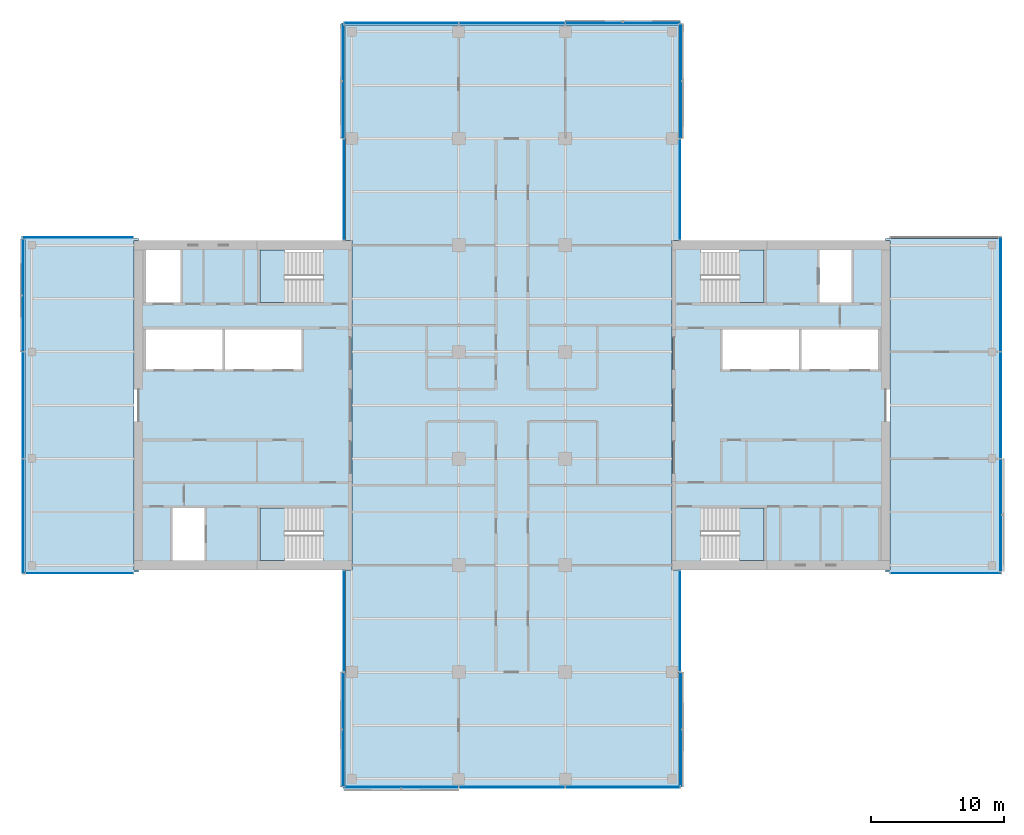
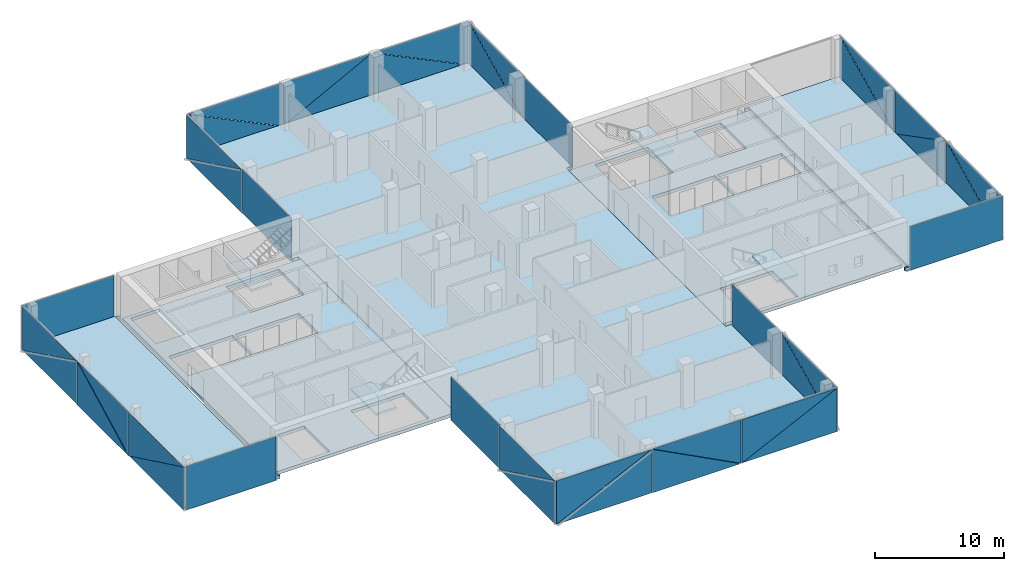
# One storey, part 12 of 22: 39 plates, 9 slabs, 19 elements without a shape of their own.
"""IFC4 building model written with IfcOpenShell, lengths in metres."""

import ifcopenshell
import ifcopenshell.guid

model = None  # the IFC model being written
_history = None  # IfcOwnerHistory: only IFC2X3 demands one
_inside = {}  # id of a spatial element -> (the spatial element, [elements in it])
_under = {}  # id of a project, library or spatial element -> (it, [spatial elements below it])
_declared = {}  # id of a project -> (the project, [libraries it declares])
_typed = {}  # id of a type object -> (the type object, [elements of that type])
_made_of = {}  # id of a material, layer set ... -> (it, [elements and type objects made of it])


def new_model(schema):
    """Start an empty IFC model of exactly this schema.

    Asked for "IFC4X3", IfcOpenShell would pick the latest addendum, in which some entities
    have other attributes; the version numbers below select the first issue.
    IFC2X3 requires an IfcOwnerHistory on every rooted entity: one is made here for all.
    """
    global model, _history
    if schema == "IFC4X3":
        model = ifcopenshell.file(schema_version=(4, 3, 0, 0))
    else:
        model = ifcopenshell.file(schema=schema)
    _inside.clear()
    _under.clear()
    _declared.clear()
    _typed.clear()
    _made_of.clear()
    _history = None
    if model.schema == "IFC2X3":
        org = make("IfcOrganization", Name="unknown")
        user = make(
            "IfcPersonAndOrganization",
            ThePerson=make("IfcPerson", FamilyName="unknown"),
            TheOrganization=org,
        )
        app = make(
            "IfcApplication",
            ApplicationDeveloper=org,
            Version="unknown",
            ApplicationFullName="unknown",
            ApplicationIdentifier="unknown",
        )
        _history = make(
            "IfcOwnerHistory",
            OwningUser=user,
            OwningApplication=app,
            ChangeAction="ADDED",
            CreationDate=0,
        )
    return model


def make(cls, **values):
    """One entity of the class cls with the attributes given. An attribute that is None is left unset."""
    return model.create_entity(
        cls, **{name: value for name, value in values.items() if value is not None}
    )


def rooted(cls, **values):
    """An entity with a GlobalId (a new one), such as an element, a storey or a relation."""
    return make(cls, GlobalId=ifcopenshell.guid.new(), OwnerHistory=_history, **values)


def si_unit(unit_type, name, prefix=None):
    """IfcSIUnit, for example si_unit("LENGTHUNIT", "METRE", prefix="MILLI")."""
    return make("IfcSIUnit", UnitType=unit_type, Prefix=prefix, Name=name)


def assignment(units):
    """IfcUnitAssignment: the units of a project."""
    return None if units is None else make("IfcUnitAssignment", Units=units)


def point(xyz):
    """IfcCartesianPoint."""
    return None if xyz is None else make("IfcCartesianPoint", Coordinates=xyz)


def direction(xyz):
    """IfcDirection."""
    return None if xyz is None else make("IfcDirection", DirectionRatios=xyz)


def frame(location, z_axis=None, x_axis=None):
    """IfcAxis2Placement3D, a coordinate frame: its origin and axes. An axis left out is left unset."""
    return make(
        "IfcAxis2Placement3D",
        Location=point(location),
        Axis=direction(z_axis),
        RefDirection=direction(x_axis),
    )


def origin():
    """The frame at (0, 0, 0) with its axes left unset."""
    return frame((0.0, 0.0, 0.0))


def place(relative_to, where):
    """IfcLocalPlacement: puts the frame where relative to a parent placement (None: the world)."""
    return make(
        "IfcLocalPlacement", PlacementRelTo=relative_to, RelativePlacement=where
    )


def context(
    kind, dimensions, precision=None, world=None, true_north=None, identifier=None
):
    """IfcGeometricRepresentationContext, for example the 3D "Model" context."""
    return make(
        "IfcGeometricRepresentationContext",
        ContextIdentifier=identifier,
        ContextType=kind,
        CoordinateSpaceDimension=dimensions,
        Precision=precision,
        WorldCoordinateSystem=world,
        TrueNorth=true_north,
    )


def subcontext(parent, identifier, kind, view, scale=None):
    """IfcGeometricRepresentationSubContext, for example "Body" below "Model"."""
    return make(
        "IfcGeometricRepresentationSubContext",
        ContextIdentifier=identifier,
        ContextType=kind,
        ParentContext=parent,
        TargetScale=scale,
        TargetView=view,
    )


def project(units=None, contexts=None):
    """IfcProject with its units and contexts."""
    return rooted(
        "IfcProject",
        Name="project",
        RepresentationContexts=contexts,
        UnitsInContext=assignment(units),
    )


def spatial(cls, under=None, at=None, **own):
    """A site, building, storey or space (cls), placed at a placement, below another one or the project."""
    s = rooted(cls, ObjectPlacement=at, **own)
    if under is not None:
        _under.setdefault(under.id(), (under, []))[1].append(s)
    return s


def polyline(points):
    """IfcPolyline through the points."""
    return make("IfcPolyline", Points=[point(p) for p in points])


def outline(outer, holes=None, kind="AREA"):
    """IfcArbitraryClosedProfileDef: a profile drawn as a closed curve; with holes, ...WithVoids."""
    if holes is None:
        return make("IfcArbitraryClosedProfileDef", ProfileType=kind, OuterCurve=outer)
    return make(
        "IfcArbitraryProfileDefWithVoids",
        ProfileType=kind,
        OuterCurve=outer,
        InnerCurves=holes,
    )


def extrude(swept, where, along, depth):
    """IfcExtrudedAreaSolid: the profile swept, set in the frame where, extruded along a direction by depth."""
    return make(
        "IfcExtrudedAreaSolid",
        SweptArea=swept,
        Position=where,
        ExtrudedDirection=direction(along),
        Depth=depth,
    )


def shape(context_of_items, identifier, shape_type, items):
    """IfcShapeRepresentation: the items that make up one representation, for example the "Body"."""
    return make(
        "IfcShapeRepresentation",
        ContextOfItems=context_of_items,
        RepresentationIdentifier=identifier,
        RepresentationType=shape_type,
        Items=items,
    )


def material(Name=None, Category=None):
    """IfcMaterial."""
    return make("IfcMaterial", Name=Name, Category=Category)


def layer(
    of_material, thickness, ventilated=None, Name=None, Category=None, Priority=None
):
    """IfcMaterialLayer: one layer of a wall or slab, of a material (None: an air gap)."""
    return make(
        "IfcMaterialLayer",
        Material=of_material,
        LayerThickness=thickness,
        IsVentilated=ventilated,
        Name=Name,
        Category=Category,
        Priority=Priority,
    )


def layer_set(layers, Name=None):
    """IfcMaterialLayerSet."""
    return make("IfcMaterialLayerSet", MaterialLayers=layers, LayerSetName=Name)


def made_of(thing, what):
    """Note that an element or type object is made of a material, layer set ...; save() writes the relation."""
    if what is not None:
        _made_of.setdefault(what.id(), (what, []))[1].append(thing)
    return thing


def type_object(cls, material=None, **own):
    """A type object (cls), such as IfcWallType, which elements share."""
    return made_of(rooted(cls, **own), material)


def element(
    cls,
    number,
    at=None,
    inside=None,
    cuts=None,
    type_object=None,
    material=None,
    context=None,
    identifier="Body",
    shape_type=None,
    held_by="IfcProductDefinitionShape",
    body=None,
    shapes=None,
    **own,
):
    """One element of the class cls, such as IfcWall. Its Tag is "e" and its number.

    at: its placement. inside: the storey or other place that contains it. cuts: it is an
    opening in that element (IfcRelVoidsElement). A single representation is given by context,
    identifier, shape_type and body (its items); several are given by shapes. held_by: the class
    of the entity that holds the representations. save() writes the other relations.
    """
    e = rooted(cls, Tag="e%d" % number, ObjectPlacement=at, **own)
    if body is not None:
        shapes = [shape(context, identifier, shape_type, body)]
    if shapes is not None:
        e.Representation = make(held_by, Representations=shapes)
    if inside is not None:
        _inside.setdefault(inside.id(), (inside, []))[1].append(e)
    if cuts is not None:
        rooted(
            "IfcRelVoidsElement", RelatingBuildingElement=cuts, RelatedOpeningElement=e
        )
    if type_object is not None:
        _typed.setdefault(type_object.id(), (type_object, []))[1].append(e)
    return made_of(e, material)


def aggregate(whole, parts):
    """IfcRelAggregates: a whole, such as a stair, and the parts it consists of."""
    return rooted("IfcRelAggregates", RelatingObject=whole, RelatedObjects=parts)


def save(model, path):
    """Write the relations noted so far, then the file.

    IfcRelAggregates (storeys below a building ...), IfcRelContainedInSpatialStructure (elements
    in a storey), IfcRelDefinesByType, IfcRelAssociatesMaterial and IfcRelDeclares: one each for
    every whole, place, type object, material and project.
    """
    for whole, parts in _under.values():
        aggregate(whole, parts)
    for where, things in _inside.values():
        rooted(
            "IfcRelContainedInSpatialStructure",
            RelatedElements=things,
            RelatingStructure=where,
        )
    for kind, things in _typed.values():
        rooted("IfcRelDefinesByType", RelatedObjects=things, RelatingType=kind)
    for what, things in _made_of.values():
        rooted("IfcRelAssociatesMaterial", RelatedObjects=things, RelatingMaterial=what)
    for by, libraries in _declared.values():
        rooted("IfcRelDeclares", RelatingContext=by, RelatedDefinitions=libraries)
    model.write(path)


model = new_model("IFC4")

# Units and contexts
model_context = context("Model", 3, precision=1e-05, world=origin(), true_north=direction((0.0, 1.0)))
body_context = subcontext(model_context, "Body", "Model", "MODEL_VIEW")
ifc_project = project(units=[si_unit("LENGTHUNIT", "METRE"), si_unit("AREAUNIT", "SQUARE_METRE"), si_unit("VOLUMEUNIT", "CUBIC_METRE"), si_unit("PLANEANGLEUNIT", "RADIAN"), si_unit("MASSUNIT", "GRAM", prefix="KILO")], contexts=[model_context])

# Site, building, storey
site_placement = place(None, origin())
site = spatial("IfcSite", under=ifc_project, at=site_placement, CompositionType="ELEMENT")
building_placement = place(site_placement, origin())
building = spatial("IfcBuilding", under=site, at=building_placement, Name="Crosswind Convention Tower", CompositionType="ELEMENT")
storey_placement = place(building_placement, frame((0.0, 0.0, 129.5)))
storey = spatial("IfcBuildingStorey", under=building, at=storey_placement, Name="L26", CompositionType="ELEMENT", Elevation=129.5)

# Slabs
ifc_material_1 = material(Name="Concrete C40/50", Category="concrete")
ifc_layer_1 = layer(ifc_material_1, 0.300048828125)
ifc_layer_set_1 = layer_set([ifc_layer_1], Name="Concrete C40/50")
slab_type_1 = type_object("IfcSlabType", Name="Composite floor slab 300", PredefinedType="FLOOR", material=ifc_layer_set_1)
slab_1_placement = place(storey_placement, frame((0.0, 0.0, -0.300048828125)))
element("IfcSlab", 1, at=slab_1_placement, inside=storey, type_object=slab_type_1, Name="Floor slab L26 part 1", PredefinedType="FLOOR", context=body_context, shape_type="SweptSolid", body=[
    extrude(outline(polyline([(97.0, 87.5), (89.0, 87.5), (88.5, 87.5), (88.5, 88.0), (88.5, 112.0), (88.5, 112.5), (89.0, 112.5), (97.0, 112.5), (97.0, 112.35009765625), (96.64990234375, 112.35009765625), (96.64990234375, 87.64990234375), (97.0, 87.64990234375), (97.0, 87.5)])), origin(), (0.0, 0.0, 1.0), 0.300048828125),
])
slab_2_placement = place(storey_placement, frame((0.0, 0.0, -0.300048828125)))
element("IfcSlab", 2, at=slab_2_placement, inside=storey, type_object=slab_type_1, Name="Floor slab L26 part 2", PredefinedType="FLOOR", context=body_context, shape_type="SweptSolid", body=[
    extrude(outline(polyline([(112.5, 87.64990234375), (113.0, 87.64990234375), (113.0, 112.35009765625), (112.5, 112.35009765625), (112.5, 128.0), (112.5, 128.5), (113.0, 128.5), (137.0, 128.5), (137.5, 128.5), (137.5, 128.0), (137.5, 112.35009765625), (137.0, 112.35009765625), (137.0, 87.64990234375), (137.5, 87.64990234375), (137.5, 72.0), (137.5, 71.5), (137.0, 71.5), (113.0, 71.5), (112.5, 71.5), (112.5, 72.0), (112.5, 87.64990234375)])), origin(), (0.0, 0.0, 1.0), 0.300048828125),
])
slab_3_placement = place(storey_placement, frame((0.0, 0.0, -0.300048828125)))
element("IfcSlab", 3, at=slab_3_placement, inside=storey, type_object=slab_type_1, Name="Floor slab L26 part 3", PredefinedType="FLOOR", context=body_context, shape_type="SweptSolid", body=[
    extrude(outline(polyline([(153.0, 112.5), (161.0, 112.5), (161.5, 112.5), (161.5, 112.0), (161.5, 88.0), (161.5, 87.5), (161.0, 87.5), (153.0, 87.5), (153.0, 87.64990234375), (153.35009765625, 87.64990234375), (153.35009765625, 112.35009765625), (153.0, 112.35009765625), (153.0, 112.5)])), origin(), (0.0, 0.0, 1.0), 0.300048828125),
])
ifc_layer_2 = layer(ifc_material_1, 0.300048828125)
ifc_layer_set_2 = layer_set([ifc_layer_2], Name="Concrete C40/50")
slab_type_2 = type_object("IfcSlabType", Name="Concrete core floor slab 300", PredefinedType="FLOOR", material=ifc_layer_set_2)
slab_4_placement = place(storey_placement, frame((0.0, 0.0, -0.300048828125)))
element("IfcSlab", 4, at=slab_4_placement, inside=storey, type_object=slab_type_2, Name="Core floor slab E L26", PredefinedType="FLOOR", context=body_context, shape_type="SweptSolid", body=[
    extrude(outline(polyline([(137.0, 88.0), (153.0, 88.0), (153.0, 112.0), (137.0, 112.0), (137.0, 88.0)]), holes=[polyline([(146.5, 102.699951171875), (146.5, 105.699951171875), (140.800048828125, 105.699951171875), (140.800048828125, 102.699951171875), (146.5, 102.699951171875)]), polyline([(152.449951171875, 102.699951171875), (152.449951171875, 105.699951171875), (146.699951171875, 105.699951171875), (146.699951171875, 102.699951171875), (152.449951171875, 102.699951171875)]), polyline([(150.449951171875, 107.699951171875), (150.449951171875, 111.64990234375), (148.050048828125, 111.64990234375), (148.050048828125, 107.699951171875), (150.449951171875, 107.699951171875)]), polyline([(143.89990234375, 107.699951171875), (143.89990234375, 111.64990234375), (139.14990234375, 111.64990234375), (139.14990234375, 107.699951171875), (143.89990234375, 107.699951171875)]), polyline([(143.89990234375, 88.35009765625), (143.89990234375, 92.300048828125), (139.14990234375, 92.300048828125), (139.14990234375, 88.35009765625), (143.89990234375, 88.35009765625)])]), origin(), (0.0, 0.0, 1.0), 0.300048828125),
])
slab_5_placement = place(storey_placement, frame((0.0, 0.0, -0.300048828125)))
element("IfcSlab", 5, at=slab_5_placement, inside=storey, type_object=slab_type_2, Name="Core floor slab W L26", PredefinedType="FLOOR", context=body_context, shape_type="SweptSolid", body=[
    extrude(outline(polyline([(97.0, 88.0), (113.0, 88.0), (113.0, 112.0), (97.0, 112.0), (97.0, 88.0)]), holes=[polyline([(109.199951171875, 102.699951171875), (109.199951171875, 105.699951171875), (103.5, 105.699951171875), (103.5, 102.699951171875), (109.199951171875, 102.699951171875)]), polyline([(103.300048828125, 102.699951171875), (103.300048828125, 105.699951171875), (97.550048828125, 105.699951171875), (97.550048828125, 102.699951171875), (103.300048828125, 102.699951171875)]), polyline([(101.949951171875, 88.35009765625), (101.949951171875, 92.300048828125), (99.550048828125, 92.300048828125), (99.550048828125, 88.35009765625), (101.949951171875, 88.35009765625)]), polyline([(100.14990234375, 107.699951171875), (100.14990234375, 111.64990234375), (97.550048828125, 111.64990234375), (97.550048828125, 107.699951171875), (100.14990234375, 107.699951171875)]), polyline([(110.85009765625, 88.35009765625), (110.85009765625, 92.300048828125), (106.10009765625, 92.300048828125), (106.10009765625, 88.35009765625), (110.85009765625, 88.35009765625)]), polyline([(110.85009765625, 107.699951171875), (110.85009765625, 111.64990234375), (106.10009765625, 111.64990234375), (106.10009765625, 107.699951171875), (110.85009765625, 107.699951171875)])]), origin(), (0.0, 0.0, 1.0), 0.300048828125),
])

# Stair, slab
stair_type = type_object("IfcStairType", Name="Exit stair 1800 wide, 2 flights of 11 risers", PredefinedType="HALF_TURN_STAIR", material=ifc_material_1)
stair_1_placement = place(storey_placement, origin())
stair_1 = element("IfcStair", 6, at=stair_1_placement, inside=storey, type_object=stair_type, Name="Exit stair ST1 L26", ObjectType="ST5", PredefinedType="HALF_TURN_STAIR")
ifc_layer_3 = layer(ifc_material_1, 0.199951171875)
ifc_layer_set_3 = layer_set([ifc_layer_3], Name="Concrete C40/50")
slab_type_3 = type_object("IfcSlabType", Name="Stair landing 200", PredefinedType="LANDING", material=ifc_layer_set_3)
slab_6_placement = place(storey_placement, frame((0.0, 0.0, 1.89990234375)))
slab_6 = element("IfcSlab", 7, at=slab_6_placement, type_object=slab_type_3, Name="ST1 landing 1", PredefinedType="LANDING", context=body_context, shape_type="SweptSolid", body=[
    extrude(outline(polyline([(143.89990234375, 107.699951171875), (143.89990234375, 111.64990234375), (142.050048828125, 111.64990234375), (142.050048828125, 107.699951171875), (143.89990234375, 107.699951171875)])), origin(), (0.0, 0.0, 1.0), 0.2001953125),
])
aggregate(stair_1, [slab_6])

stair_2_placement = place(storey_placement, origin())
stair_2 = element("IfcStair", 8, at=stair_2_placement, inside=storey, type_object=stair_type, Name="Exit stair ST2 L26", ObjectType="ST5", PredefinedType="HALF_TURN_STAIR")
slab_7_placement = place(storey_placement, frame((0.0, 0.0, 1.89990234375)))
slab_7 = element("IfcSlab", 9, at=slab_7_placement, type_object=slab_type_3, Name="ST2 landing 1", PredefinedType="LANDING", context=body_context, shape_type="SweptSolid", body=[
    extrude(outline(polyline([(143.89990234375, 88.35009765625), (143.89990234375, 92.300048828125), (142.050048828125, 92.300048828125), (142.050048828125, 88.35009765625), (143.89990234375, 88.35009765625)])), origin(), (0.0, 0.0, 1.0), 0.2001953125),
])
aggregate(stair_2, [slab_7])

stair_3_placement = place(storey_placement, origin())
stair_3 = element("IfcStair", 10, at=stair_3_placement, inside=storey, type_object=stair_type, Name="Exit stair ST3 L26", ObjectType="ST5", PredefinedType="HALF_TURN_STAIR")
slab_8_placement = place(storey_placement, frame((0.0, 0.0, 1.89990234375)))
slab_8 = element("IfcSlab", 11, at=slab_8_placement, type_object=slab_type_3, Name="ST3 landing 1", PredefinedType="LANDING", context=body_context, shape_type="SweptSolid", body=[
    extrude(outline(polyline([(107.949951171875, 88.35009765625), (107.949951171875, 92.300048828125), (106.10009765625, 92.300048828125), (106.10009765625, 88.35009765625), (107.949951171875, 88.35009765625)])), origin(), (0.0, 0.0, 1.0), 0.2001953125),
])
aggregate(stair_3, [slab_8])

stair_4_placement = place(storey_placement, origin())
stair_4 = element("IfcStair", 12, at=stair_4_placement, inside=storey, type_object=stair_type, Name="Exit stair ST4 L26", ObjectType="ST5", PredefinedType="HALF_TURN_STAIR")
slab_9_placement = place(storey_placement, frame((0.0, 0.0, 1.89990234375)))
slab_9 = element("IfcSlab", 13, at=slab_9_placement, type_object=slab_type_3, Name="ST4 landing 1", PredefinedType="LANDING", context=body_context, shape_type="SweptSolid", body=[
    extrude(outline(polyline([(107.949951171875, 107.699951171875), (107.949951171875, 111.64990234375), (106.10009765625, 111.64990234375), (106.10009765625, 107.699951171875), (107.949951171875, 107.699951171875)])), origin(), (0.0, 0.0, 1.0), 0.2001953125),
])
aggregate(stair_4, [slab_9])

# Curtain wall, plate
ifc_material_2 = material(Name="Aluminium unitised curtain wall", Category="aluminium")
curtain_wall_type_1 = type_object("IfcCurtainWallType", Name="CORE END SLOT WALL 160", PredefinedType="USERDEFINED", material=ifc_material_2)
curtain_wall_1_placement = place(storey_placement, origin())
curtain_wall_1 = element("IfcCurtainWall", 14, at=curtain_wall_1_placement, inside=storey, type_object=curtain_wall_type_1, Name="CW6 L26 N-E.1-1 slot", ObjectType="UNITISED", PredefinedType="USERDEFINED")
ifc_material_3 = material(Name="Laminated insulating glass unit", Category="glass")
ifc_layer_4 = layer(ifc_material_3, 0.02587890625)
ifc_layer_set_4 = layer_set([ifc_layer_4], Name="TRIANGULAR GLASS PANEL 26")
plate_type_1 = type_object("IfcPlateType", Name="TRIANGULAR GLASS PANEL 26", PredefinedType="CURTAIN_PANEL", material=ifc_layer_set_4)
plate_1_placement = place(storey_placement, frame((137.60693359375, 112.39990234375, -0.300048828125), z_axis=(0.999999915215, 0.0, 0.000411788894), x_axis=(0.0, 1.0, 0.0)))
plate_1 = element("IfcPlate", 15, at=plate_1_placement, type_object=plate_type_1, Name="CW6 panel 1.1", PredefinedType="CURTAIN_PANEL", context=body_context, shape_type="SweptSolid", body=[
    extrude(outline(polyline([(0.0, 0.0), (7.550048828125, 0.0), (7.550048828125, 4.1501468362454075), (0.0, 4.1501468362454075), (0.0, 0.0)])), origin(), (0.0, 0.0, -1.0), 0.02587890625),
])
aggregate(curtain_wall_1, [plate_1])

curtain_wall_2_placement = place(storey_placement, origin())
curtain_wall_2 = element("IfcCurtainWall", 16, at=curtain_wall_2_placement, inside=storey, type_object=curtain_wall_type_1, Name="CW6 L26 N-W.1-2 slot", ObjectType="UNITISED", PredefinedType="USERDEFINED")
plate_2_placement = place(storey_placement, frame((112.39306640625, 119.949951171875, -0.300048828125), z_axis=(-0.999999915215, 0.0, 0.000411788894), x_axis=(0.0, -1.0, 0.0)))
plate_2 = element("IfcPlate", 17, at=plate_2_placement, type_object=plate_type_1, Name="CW6 panel 1.1", PredefinedType="CURTAIN_PANEL", context=body_context, shape_type="SweptSolid", body=[
    extrude(outline(polyline([(0.0, 0.0), (7.550048828125, 0.0), (7.550048828125, 4.1501468362454075), (0.0, 4.1501468362454075), (0.0, 0.0)])), origin(), (0.0, 0.0, -1.0), 0.02587890625),
])
aggregate(curtain_wall_2, [plate_2])

curtain_wall_3_placement = place(storey_placement, origin())
curtain_wall_3 = element("IfcCurtainWall", 18, at=curtain_wall_3_placement, inside=storey, type_object=curtain_wall_type_1, Name="CW6 L26 W-N.2-1 slot", ObjectType="UNITISED", PredefinedType="USERDEFINED")
plate_3_placement = place(storey_placement, frame((96.60009765625, 112.60693359375, -0.300048828125), z_axis=(0.0, 0.999999915215, 0.000411788894), x_axis=(-1.0, 0.0, 0.0)))
plate_3 = element("IfcPlate", 19, at=plate_3_placement, type_object=plate_type_1, Name="CW6 panel 1.1", PredefinedType="CURTAIN_PANEL", context=body_context, shape_type="SweptSolid", body=[
    extrude(outline(polyline([(0.0, 0.0), (8.27001953125, 0.0), (8.27001953125, 4.1501468362454075), (0.0, 4.1501468362454075), (0.0, 0.0)])), origin(), (0.0, 0.0, -1.0), 0.02587890625),
])
aggregate(curtain_wall_3, [plate_3])

curtain_wall_4_placement = place(storey_placement, origin())
curtain_wall_4 = element("IfcCurtainWall", 20, at=curtain_wall_4_placement, inside=storey, type_object=curtain_wall_type_1, Name="CW6 L26 W-S.1-1 slot", ObjectType="UNITISED", PredefinedType="USERDEFINED")
plate_4_placement = place(storey_placement, frame((88.550048828125, 87.39306640625, -0.300048828125), z_axis=(0.0, -0.999999915215, 0.000411788894), x_axis=(1.0, 0.0, 0.0)))
plate_4 = element("IfcPlate", 21, at=plate_4_placement, type_object=plate_type_1, Name="CW6 panel 1.1", PredefinedType="CURTAIN_PANEL", context=body_context, shape_type="SweptSolid", body=[
    extrude(outline(polyline([(0.0, 0.0), (8.050048828125, 0.0), (8.050048828125, 4.150146836245408), (0.0, 4.150146836245408), (0.0, 0.0)])), origin(), (0.0, 0.0, -1.0), 0.02587890625),
])
aggregate(curtain_wall_4, [plate_4])

curtain_wall_5_placement = place(storey_placement, origin())
curtain_wall_5 = element("IfcCurtainWall", 22, at=curtain_wall_5_placement, inside=storey, type_object=curtain_wall_type_1, Name="CW6 L26 S-W.1-1 slot", ObjectType="UNITISED", PredefinedType="USERDEFINED")
plate_5_placement = place(storey_placement, frame((112.39306640625, 87.60009765625, -0.300048828125), z_axis=(-0.999999915215, 0.0, 0.000411788894), x_axis=(0.0, -1.0, 0.0)))
plate_5 = element("IfcPlate", 23, at=plate_5_placement, type_object=plate_type_1, Name="CW6 panel 1.1", PredefinedType="CURTAIN_PANEL", context=body_context, shape_type="SweptSolid", body=[
    extrude(outline(polyline([(0.0, 0.0), (7.550048828125, 0.0), (7.550048828125, 4.1501468362454075), (0.0, 4.1501468362454075), (0.0, 0.0)])), origin(), (0.0, 0.0, -1.0), 0.02587890625),
])
aggregate(curtain_wall_5, [plate_5])

curtain_wall_6_placement = place(storey_placement, origin())
curtain_wall_6 = element("IfcCurtainWall", 24, at=curtain_wall_6_placement, inside=storey, type_object=curtain_wall_type_1, Name="CW6 L26 S-E.1-2 slot", ObjectType="UNITISED", PredefinedType="USERDEFINED")
plate_6_placement = place(storey_placement, frame((137.60693359375, 80.050048828125, -0.300048828125), z_axis=(0.999999915215, 0.0, 0.000411788894), x_axis=(0.0, 1.0, 0.0)))
plate_6 = element("IfcPlate", 25, at=plate_6_placement, type_object=plate_type_1, Name="CW6 panel 1.1", PredefinedType="CURTAIN_PANEL", context=body_context, shape_type="SweptSolid", body=[
    extrude(outline(polyline([(0.0, 0.0), (7.550048828125, 0.0), (7.550048828125, 4.1501468362454075), (0.0, 4.1501468362454075), (0.0, 0.0)])), origin(), (0.0, 0.0, -1.0), 0.02587890625),
])
aggregate(curtain_wall_6, [plate_6])

curtain_wall_7_placement = place(storey_placement, origin())
curtain_wall_7 = element("IfcCurtainWall", 26, at=curtain_wall_7_placement, inside=storey, type_object=curtain_wall_type_1, Name="CW6 L26 E-S.2-1 slot", ObjectType="UNITISED", PredefinedType="USERDEFINED")
plate_7_placement = place(storey_placement, frame((153.39990234375, 87.39306640625, -0.300048828125), z_axis=(0.0, -0.999999915215, 0.000411788894), x_axis=(1.0, 0.0, 0.0)))
plate_7 = element("IfcPlate", 27, at=plate_7_placement, type_object=plate_type_1, Name="CW6 panel 1.1", PredefinedType="CURTAIN_PANEL", context=body_context, shape_type="SweptSolid", body=[
    extrude(outline(polyline([(0.0, 0.0), (8.27001953125, 0.0), (8.27001953125, 4.1501468362454075), (0.0, 4.1501468362454075), (0.0, 0.0)])), origin(), (0.0, 0.0, -1.0), 0.02587890625),
])
aggregate(curtain_wall_7, [plate_7])

# Curtain wall, plates
curtain_wall_type_2 = type_object("IfcCurtainWallType", Name="OFFICE UNITISED WALL 220", PredefinedType="USERDEFINED", material=ifc_material_2)
curtain_wall_8_placement = place(storey_placement, origin())
curtain_wall_8 = element("IfcCurtainWall", 28, at=curtain_wall_8_placement, inside=storey, type_object=curtain_wall_type_2, Name="CW3 L26 E-TIP 1", ObjectType="UNITISED", PredefinedType="USERDEFINED")
ifc_layer_5 = layer(ifc_material_3, 0.031982421875)
ifc_layer_set_5 = layer_set([ifc_layer_5], Name="TRIANGULAR GLASS PANEL 32")
plate_type_2 = type_object("IfcPlateType", Name="TRIANGULAR GLASS PANEL 32", PredefinedType="CURTAIN_PANEL", material=ifc_layer_set_5)
plate_8_placement = place(storey_placement, frame((161.642822265625, 95.965087890625, -0.300048828125), z_axis=(0.999999913924, 0.0, 0.000414913129), x_axis=(-0.000414913129, 0.0, 0.999999913924)))
plate_8 = element("IfcPlate", 29, at=plate_8_placement, type_object=plate_type_2, Name="CW3 panel 1.1", PredefinedType="CURTAIN_PANEL", context=body_context, shape_type="SweptSolid", body=[
    extrude(outline(polyline([(0.0, 0.0), (4.118896838915043, 0.0), (0.0, 8.372314453125), (0.0, 0.0)])), origin(), (0.0, 0.0, -1.0), 0.031982421875),
])
plate_9_placement = place(storey_placement, frame((161.67529296875, 87.570068359375, 3.830078125), z_axis=(0.99999993676, 0.0, 0.000355639833), x_axis=(0.000355639833, 0.0, -0.99999993676)))
plate_9 = element("IfcPlate", 30, at=plate_9_placement, type_object=plate_type_2, Name="CW3 panel 1.2", PredefinedType="CURTAIN_PANEL", context=body_context, shape_type="SweptSolid", body=[
    extrude(outline(polyline([(0.0, 0.0), (4.1188967448534015, 0.0), (0.0, 8.372314453125), (0.0, 0.0)])), origin(), (0.0, 0.0, -1.0), 0.031982421875),
])
plate_10_placement = place(storey_placement, frame((161.64111328125, 103.965087890625, 3.830078125), z_axis=(0.999999913924, 0.0, 0.000414913129), x_axis=(0.0, -1.0, 0.0)))
plate_10 = element("IfcPlate", 31, at=plate_10_placement, type_object=plate_type_2, Name="CW3 panel 2.1", PredefinedType="CURTAIN_PANEL", context=body_context, shape_type="SweptSolid", body=[
    extrude(outline(polyline([(0.0, 0.0), (7.908447265625, 0.0), (0.0, 4.118896838915043), (0.0, 0.0)])), origin(), (0.0, 0.0, -1.0), 0.031982421875),
])
plate_11_placement = place(storey_placement, frame((161.6767578125, 96.034912109375, -0.300048828125), z_axis=(0.999999936753, 0.0, 0.000355660914), x_axis=(0.0, 1.0, 0.0)))
plate_11 = element("IfcPlate", 32, at=plate_11_placement, type_object=plate_type_2, Name="CW3 panel 2.2", PredefinedType="CURTAIN_PANEL", context=body_context, shape_type="SweptSolid", body=[
    extrude(outline(polyline([(0.0, 0.0), (7.908447265625, 0.0), (0.0, 4.118652604243842), (0.0, 0.0)])), origin(), (0.0, 0.0, -1.0), 0.031982421875),
])
plate_12_placement = place(storey_placement, frame((161.642822265625, 112.590087890625, -0.300048828125), z_axis=(0.999999913924, 0.0, 0.000414913129), x_axis=(-0.000414913129, 0.0, 0.999999913924)))
plate_12 = element("IfcPlate", 33, at=plate_12_placement, type_object=plate_type_2, Name="CW3 panel 3.1", PredefinedType="CURTAIN_PANEL", context=body_context, shape_type="SweptSolid", body=[
    extrude(outline(polyline([(0.0, 0.0), (4.118896838915043, 0.0), (0.0, 8.531982421874998), (0.0, 0.0)])), origin(), (0.0, 0.0, -1.0), 0.031982421875),
])
plate_13_placement = place(storey_placement, frame((161.67529296875, 104.034912109375, 3.830078125), z_axis=(0.99999993676, 0.0, 0.000355639833), x_axis=(0.000355639833, 0.0, -0.99999993676)))
plate_13 = element("IfcPlate", 34, at=plate_13_placement, type_object=plate_type_2, Name="CW3 panel 3.2", PredefinedType="CURTAIN_PANEL", context=body_context, shape_type="SweptSolid", body=[
    extrude(outline(polyline([(0.0, 0.0), (4.1188967448534015, 0.0), (0.0, 8.531982421875), (0.0, 0.0)])), origin(), (0.0, 0.0, -1.0), 0.031982421875),
])
aggregate(curtain_wall_8, [plate_8, plate_9, plate_10, plate_11, plate_12, plate_13])

curtain_wall_9_placement = place(storey_placement, origin())
curtain_wall_9 = element("IfcCurtainWall", 35, at=curtain_wall_9_placement, inside=storey, type_object=curtain_wall_type_2, Name="CW3 L26 N-E 1", ObjectType="UNITISED", PredefinedType="USERDEFINED")
plate_14_placement = place(storey_placement, frame((137.642822265625, 128.574951171875, -0.300048828125), z_axis=(0.999999913924, 0.0, 0.000414913129), x_axis=(-0.000414913129, 0.0, 0.999999913924)))
plate_14 = element("IfcPlate", 36, at=plate_14_placement, type_object=plate_type_2, Name="CW3 panel 1.1", PredefinedType="CURTAIN_PANEL", context=body_context, shape_type="SweptSolid", body=[
    extrude(outline(polyline([(0.0, 0.0), (4.118896838915043, 0.0), (0.0, 8.517089843749998), (0.0, 0.0)])), origin(), (0.0, 0.0, -1.0), 0.031982421875),
])
plate_15_placement = place(storey_placement, frame((137.67529296875, 120.034912109375, 3.830078125), z_axis=(0.99999993676, 0.0, 0.000355639833), x_axis=(0.000355639833, 0.0, -0.99999993676)))
plate_15 = element("IfcPlate", 37, at=plate_15_placement, type_object=plate_type_2, Name="CW3 panel 1.2", PredefinedType="CURTAIN_PANEL", context=body_context, shape_type="SweptSolid", body=[
    extrude(outline(polyline([(0.0, 0.0), (4.1188967448534015, 0.0), (0.0, 8.51708984375), (0.0, 0.0)])), origin(), (0.0, 0.0, -1.0), 0.031982421875),
])
aggregate(curtain_wall_9, [plate_14, plate_15])

curtain_wall_10_placement = place(storey_placement, origin())
curtain_wall_10 = element("IfcCurtainWall", 38, at=curtain_wall_10_placement, inside=storey, type_object=curtain_wall_type_2, Name="CW3 L26 N-TIP 1", ObjectType="UNITISED", PredefinedType="USERDEFINED")
plate_16_placement = place(storey_placement, frame((129.034912109375, 128.642822265625, -0.300048828125), z_axis=(0.0, 0.999999913924, 0.000414913129), x_axis=(0.0, -0.000414913129, 0.999999913924)))
plate_16 = element("IfcPlate", 39, at=plate_16_placement, type_object=plate_type_2, Name="CW3 panel 1.1", PredefinedType="CURTAIN_PANEL", context=body_context, shape_type="SweptSolid", body=[
    extrude(outline(polyline([(0.0, 0.0), (4.118896838915043, 0.0), (0.0, 8.517089843749998), (0.0, 0.0)])), origin(), (0.0, 0.0, -1.0), 0.031982421875),
])
plate_17_placement = place(storey_placement, frame((137.574951171875, 128.67529296875, 3.830078125), z_axis=(0.0, 0.99999993676, 0.000355639833), x_axis=(0.0, 0.000355639833, -0.99999993676)))
plate_17 = element("IfcPlate", 40, at=plate_17_placement, type_object=plate_type_2, Name="CW3 panel 1.2", PredefinedType="CURTAIN_PANEL", context=body_context, shape_type="SweptSolid", body=[
    extrude(outline(polyline([(0.0, 0.0), (4.1188967448534015, 0.0), (0.0, 8.51708984375), (0.0, 0.0)])), origin(), (0.0, 0.0, -1.0), 0.031982421875),
])
plate_18_placement = place(storey_placement, frame((121.034912109375, 128.64111328125, 3.830078125), z_axis=(0.0, 0.999999913924, 0.000414913129), x_axis=(1.0, 0.0, 0.0)))
plate_18 = element("IfcPlate", 41, at=plate_18_placement, type_object=plate_type_2, Name="CW3 panel 2.1", PredefinedType="CURTAIN_PANEL", context=body_context, shape_type="SweptSolid", body=[
    extrude(outline(polyline([(0.0, 0.0), (7.908447265625, 0.0), (0.0, 4.118896838915043), (0.0, 0.0)])), origin(), (0.0, 0.0, -1.0), 0.031982421875),
])
plate_19_placement = place(storey_placement, frame((128.965087890625, 128.6767578125, -0.300048828125), z_axis=(0.0, 0.999999936753, 0.000355660914), x_axis=(-1.0, 0.0, 0.0)))
plate_19 = element("IfcPlate", 42, at=plate_19_placement, type_object=plate_type_2, Name="CW3 panel 2.2", PredefinedType="CURTAIN_PANEL", context=body_context, shape_type="SweptSolid", body=[
    extrude(outline(polyline([(0.0, 0.0), (7.908447265625, 0.0), (0.0, 4.118652604243842), (0.0, 0.0)])), origin(), (0.0, 0.0, -1.0), 0.031982421875),
])
plate_20_placement = place(storey_placement, frame((112.425048828125, 128.642822265625, -0.300048828125), z_axis=(0.0, 0.999999913924, 0.000414913129), x_axis=(0.0, -0.000414913129, 0.999999913924)))
plate_20 = element("IfcPlate", 43, at=plate_20_placement, type_object=plate_type_2, Name="CW3 panel 3.1", PredefinedType="CURTAIN_PANEL", context=body_context, shape_type="SweptSolid", body=[
    extrude(outline(polyline([(0.0, 0.0), (4.118896838915043, 0.0), (0.0, 8.517089843749998), (0.0, 0.0)])), origin(), (0.0, 0.0, -1.0), 0.031982421875),
])
plate_21_placement = place(storey_placement, frame((120.965087890625, 128.67529296875, 3.830078125), z_axis=(0.0, 0.99999993676, 0.000355639833), x_axis=(0.0, 0.000355639833, -0.99999993676)))
plate_21 = element("IfcPlate", 44, at=plate_21_placement, type_object=plate_type_2, Name="CW3 panel 3.2", PredefinedType="CURTAIN_PANEL", context=body_context, shape_type="SweptSolid", body=[
    extrude(outline(polyline([(0.0, 0.0), (4.1188967448534015, 0.0), (0.0, 8.51708984375), (0.0, 0.0)])), origin(), (0.0, 0.0, -1.0), 0.031982421875),
])
aggregate(curtain_wall_10, [plate_16, plate_17, plate_18, plate_19, plate_20, plate_21])

curtain_wall_11_placement = place(storey_placement, origin())
curtain_wall_11 = element("IfcCurtainWall", 45, at=curtain_wall_11_placement, inside=storey, type_object=curtain_wall_type_2, Name="CW3 L26 N-W 1", ObjectType="UNITISED", PredefinedType="USERDEFINED")
plate_22_placement = place(storey_placement, frame((112.357177734375, 120.034912109375, -0.300048828125), z_axis=(-0.999999913924, 0.0, 0.000414913129), x_axis=(0.000414913129, 0.0, 0.999999913924)))
plate_22 = element("IfcPlate", 46, at=plate_22_placement, type_object=plate_type_2, Name="CW3 panel 1.1", PredefinedType="CURTAIN_PANEL", context=body_context, shape_type="SweptSolid", body=[
    extrude(outline(polyline([(0.0, 0.0), (4.118896838915043, 0.0), (0.0, 8.517089843749998), (0.0, 0.0)])), origin(), (0.0, 0.0, -1.0), 0.031982421875),
])
plate_23_placement = place(storey_placement, frame((112.32470703125, 128.574951171875, 3.830078125), z_axis=(-0.99999993676, 0.0, 0.000355639833), x_axis=(-0.000355639833, 0.0, -0.99999993676)))
plate_23 = element("IfcPlate", 47, at=plate_23_placement, type_object=plate_type_2, Name="CW3 panel 1.2", PredefinedType="CURTAIN_PANEL", context=body_context, shape_type="SweptSolid", body=[
    extrude(outline(polyline([(0.0, 0.0), (4.1188967448534015, 0.0), (0.0, 8.51708984375), (0.0, 0.0)])), origin(), (0.0, 0.0, -1.0), 0.031982421875),
])
aggregate(curtain_wall_11, [plate_22, plate_23])

curtain_wall_12_placement = place(storey_placement, origin())
curtain_wall_12 = element("IfcCurtainWall", 48, at=curtain_wall_12_placement, inside=storey, type_object=curtain_wall_type_2, Name="CW3 L26 W-TIP 1", ObjectType="UNITISED", PredefinedType="USERDEFINED")
plate_24_placement = place(storey_placement, frame((88.357177734375, 104.034912109375, -0.300048828125), z_axis=(-0.999999913924, 0.0, 0.000414913129), x_axis=(0.000414913129, 0.0, 0.999999913924)))
plate_24 = element("IfcPlate", 49, at=plate_24_placement, type_object=plate_type_2, Name="CW3 panel 1.1", PredefinedType="CURTAIN_PANEL", context=body_context, shape_type="SweptSolid", body=[
    extrude(outline(polyline([(0.0, 0.0), (4.118896838915043, 0.0), (0.0, 8.372314453125), (0.0, 0.0)])), origin(), (0.0, 0.0, -1.0), 0.031982421875),
])
plate_25_placement = place(storey_placement, frame((88.32470703125, 112.429931640625, 3.830078125), z_axis=(-0.99999993676, 0.0, 0.000355639833), x_axis=(-0.000355639833, 0.0, -0.99999993676)))
plate_25 = element("IfcPlate", 50, at=plate_25_placement, type_object=plate_type_2, Name="CW3 panel 1.2", PredefinedType="CURTAIN_PANEL", context=body_context, shape_type="SweptSolid", body=[
    extrude(outline(polyline([(0.0, 0.0), (4.1188967448534015, 0.0), (0.0, 8.372314453125), (0.0, 0.0)])), origin(), (0.0, 0.0, -1.0), 0.031982421875),
])
plate_26_placement = place(storey_placement, frame((88.35888671875, 96.034912109375, 3.830078125), z_axis=(-0.999999913924, 0.0, 0.000414913129), x_axis=(0.0, 1.0, 0.0)))
plate_26 = element("IfcPlate", 51, at=plate_26_placement, type_object=plate_type_2, Name="CW3 panel 2.1", PredefinedType="CURTAIN_PANEL", context=body_context, shape_type="SweptSolid", body=[
    extrude(outline(polyline([(0.0, 0.0), (7.908447265625, 0.0), (0.0, 4.118896838915043), (0.0, 0.0)])), origin(), (0.0, 0.0, -1.0), 0.031982421875),
])
plate_27_placement = place(storey_placement, frame((88.3232421875, 103.965087890625, -0.300048828125), z_axis=(-0.999999936753, 0.0, 0.000355660914), x_axis=(0.0, -1.0, 0.0)))
plate_27 = element("IfcPlate", 52, at=plate_27_placement, type_object=plate_type_2, Name="CW3 panel 2.2", PredefinedType="CURTAIN_PANEL", context=body_context, shape_type="SweptSolid", body=[
    extrude(outline(polyline([(0.0, 0.0), (7.908447265625, 0.0), (0.0, 4.118652604243842), (0.0, 0.0)])), origin(), (0.0, 0.0, -1.0), 0.031982421875),
])
plate_28_placement = place(storey_placement, frame((88.357177734375, 87.409912109375, -0.300048828125), z_axis=(-0.999999913924, 0.0, 0.000414913129), x_axis=(0.000414913129, 0.0, 0.999999913924)))
plate_28 = element("IfcPlate", 53, at=plate_28_placement, type_object=plate_type_2, Name="CW3 panel 3.1", PredefinedType="CURTAIN_PANEL", context=body_context, shape_type="SweptSolid", body=[
    extrude(outline(polyline([(0.0, 0.0), (4.118896838915043, 0.0), (0.0, 8.531982421874998), (0.0, 0.0)])), origin(), (0.0, 0.0, -1.0), 0.031982421875),
])
plate_29_placement = place(storey_placement, frame((88.32470703125, 95.965087890625, 3.830078125), z_axis=(-0.99999993676, 0.0, 0.000355639833), x_axis=(-0.000355639833, 0.0, -0.99999993676)))
plate_29 = element("IfcPlate", 54, at=plate_29_placement, type_object=plate_type_2, Name="CW3 panel 3.2", PredefinedType="CURTAIN_PANEL", context=body_context, shape_type="SweptSolid", body=[
    extrude(outline(polyline([(0.0, 0.0), (4.1188967448534015, 0.0), (0.0, 8.531982421875), (0.0, 0.0)])), origin(), (0.0, 0.0, -1.0), 0.031982421875),
])
aggregate(curtain_wall_12, [plate_24, plate_25, plate_26, plate_27, plate_28, plate_29])

curtain_wall_13_placement = place(storey_placement, origin())
curtain_wall_13 = element("IfcCurtainWall", 55, at=curtain_wall_13_placement, inside=storey, type_object=curtain_wall_type_2, Name="CW3 L26 S-W 1", ObjectType="UNITISED", PredefinedType="USERDEFINED")
plate_30_placement = place(storey_placement, frame((112.357177734375, 71.425048828125, -0.300048828125), z_axis=(-0.999999913924, 0.0, 0.000414913129), x_axis=(0.000414913129, 0.0, 0.999999913924)))
plate_30 = element("IfcPlate", 56, at=plate_30_placement, type_object=plate_type_2, Name="CW3 panel 1.1", PredefinedType="CURTAIN_PANEL", context=body_context, shape_type="SweptSolid", body=[
    extrude(outline(polyline([(0.0, 0.0), (4.118896838915043, 0.0), (0.0, 8.517089843749998), (0.0, 0.0)])), origin(), (0.0, 0.0, -1.0), 0.031982421875),
])
plate_31_placement = place(storey_placement, frame((112.32470703125, 79.965087890625, 3.830078125), z_axis=(-0.99999993676, 0.0, 0.000355639833), x_axis=(-0.000355639833, 0.0, -0.99999993676)))
plate_31 = element("IfcPlate", 57, at=plate_31_placement, type_object=plate_type_2, Name="CW3 panel 1.2", PredefinedType="CURTAIN_PANEL", context=body_context, shape_type="SweptSolid", body=[
    extrude(outline(polyline([(0.0, 0.0), (4.1188967448534015, 0.0), (0.0, 8.51708984375), (0.0, 0.0)])), origin(), (0.0, 0.0, -1.0), 0.031982421875),
])
aggregate(curtain_wall_13, [plate_30, plate_31])

curtain_wall_14_placement = place(storey_placement, origin())
curtain_wall_14 = element("IfcCurtainWall", 58, at=curtain_wall_14_placement, inside=storey, type_object=curtain_wall_type_2, Name="CW3 L26 S-TIP 1", ObjectType="UNITISED", PredefinedType="USERDEFINED")
plate_32_placement = place(storey_placement, frame((120.965087890625, 71.357177734375, -0.300048828125), z_axis=(0.0, -0.999999913924, 0.000414913129), x_axis=(0.0, 0.000414913129, 0.999999913924)))
plate_32 = element("IfcPlate", 59, at=plate_32_placement, type_object=plate_type_2, Name="CW3 panel 1.1", PredefinedType="CURTAIN_PANEL", context=body_context, shape_type="SweptSolid", body=[
    extrude(outline(polyline([(0.0, 0.0), (4.118896838915043, 0.0), (0.0, 8.517089843749998), (0.0, 0.0)])), origin(), (0.0, 0.0, -1.0), 0.031982421875),
])
plate_33_placement = place(storey_placement, frame((112.425048828125, 71.32470703125, 3.830078125), z_axis=(0.0, -0.99999993676, 0.000355639833), x_axis=(0.0, -0.000355639833, -0.99999993676)))
plate_33 = element("IfcPlate", 60, at=plate_33_placement, type_object=plate_type_2, Name="CW3 panel 1.2", PredefinedType="CURTAIN_PANEL", context=body_context, shape_type="SweptSolid", body=[
    extrude(outline(polyline([(0.0, 0.0), (4.1188967448534015, 0.0), (0.0, 8.51708984375), (0.0, 0.0)])), origin(), (0.0, 0.0, -1.0), 0.031982421875),
])
plate_34_placement = place(storey_placement, frame((128.965087890625, 71.35888671875, 3.830078125), z_axis=(0.0, -0.999999913924, 0.000414913129), x_axis=(-1.0, 0.0, 0.0)))
plate_34 = element("IfcPlate", 61, at=plate_34_placement, type_object=plate_type_2, Name="CW3 panel 2.1", PredefinedType="CURTAIN_PANEL", context=body_context, shape_type="SweptSolid", body=[
    extrude(outline(polyline([(0.0, 0.0), (7.908447265625, 0.0), (0.0, 4.118896838915043), (0.0, 0.0)])), origin(), (0.0, 0.0, -1.0), 0.031982421875),
])
plate_35_placement = place(storey_placement, frame((121.034912109375, 71.3232421875, -0.300048828125), z_axis=(0.0, -0.999999936753, 0.000355660914), x_axis=(1.0, 0.0, 0.0)))
plate_35 = element("IfcPlate", 62, at=plate_35_placement, type_object=plate_type_2, Name="CW3 panel 2.2", PredefinedType="CURTAIN_PANEL", context=body_context, shape_type="SweptSolid", body=[
    extrude(outline(polyline([(0.0, 0.0), (7.908447265625, 0.0), (0.0, 4.118652604243842), (0.0, 0.0)])), origin(), (0.0, 0.0, -1.0), 0.031982421875),
])
plate_36_placement = place(storey_placement, frame((137.574951171875, 71.357177734375, -0.300048828125), z_axis=(0.0, -0.999999913924, 0.000414913129), x_axis=(0.0, 0.000414913129, 0.999999913924)))
plate_36 = element("IfcPlate", 63, at=plate_36_placement, type_object=plate_type_2, Name="CW3 panel 3.1", PredefinedType="CURTAIN_PANEL", context=body_context, shape_type="SweptSolid", body=[
    extrude(outline(polyline([(0.0, 0.0), (4.118896838915043, 0.0), (0.0, 8.517089843749998), (0.0, 0.0)])), origin(), (0.0, 0.0, -1.0), 0.031982421875),
])
plate_37_placement = place(storey_placement, frame((129.034912109375, 71.32470703125, 3.830078125), z_axis=(0.0, -0.99999993676, 0.000355639833), x_axis=(0.0, -0.000355639833, -0.99999993676)))
plate_37 = element("IfcPlate", 64, at=plate_37_placement, type_object=plate_type_2, Name="CW3 panel 3.2", PredefinedType="CURTAIN_PANEL", context=body_context, shape_type="SweptSolid", body=[
    extrude(outline(polyline([(0.0, 0.0), (4.1188967448534015, 0.0), (0.0, 8.51708984375), (0.0, 0.0)])), origin(), (0.0, 0.0, -1.0), 0.031982421875),
])
aggregate(curtain_wall_14, [plate_32, plate_33, plate_34, plate_35, plate_36, plate_37])

curtain_wall_15_placement = place(storey_placement, origin())
curtain_wall_15 = element("IfcCurtainWall", 65, at=curtain_wall_15_placement, inside=storey, type_object=curtain_wall_type_2, Name="CW3 L26 S-E 1", ObjectType="UNITISED", PredefinedType="USERDEFINED")
plate_38_placement = place(storey_placement, frame((137.642822265625, 79.965087890625, -0.300048828125), z_axis=(0.999999913924, 0.0, 0.000414913129), x_axis=(-0.000414913129, 0.0, 0.999999913924)))
plate_38 = element("IfcPlate", 66, at=plate_38_placement, type_object=plate_type_2, Name="CW3 panel 1.1", PredefinedType="CURTAIN_PANEL", context=body_context, shape_type="SweptSolid", body=[
    extrude(outline(polyline([(0.0, 0.0), (4.118896838915043, 0.0), (0.0, 8.517089843749998), (0.0, 0.0)])), origin(), (0.0, 0.0, -1.0), 0.031982421875),
])
plate_39_placement = place(storey_placement, frame((137.67529296875, 71.425048828125, 3.830078125), z_axis=(0.99999993676, 0.0, 0.000355639833), x_axis=(0.000355639833, 0.0, -0.99999993676)))
plate_39 = element("IfcPlate", 67, at=plate_39_placement, type_object=plate_type_2, Name="CW3 panel 1.2", PredefinedType="CURTAIN_PANEL", context=body_context, shape_type="SweptSolid", body=[
    extrude(outline(polyline([(0.0, 0.0), (4.1188967448534015, 0.0), (0.0, 8.51708984375), (0.0, 0.0)])), origin(), (0.0, 0.0, -1.0), 0.031982421875),
])
aggregate(curtain_wall_15, [plate_38, plate_39])

save(model, "model.ifc")
